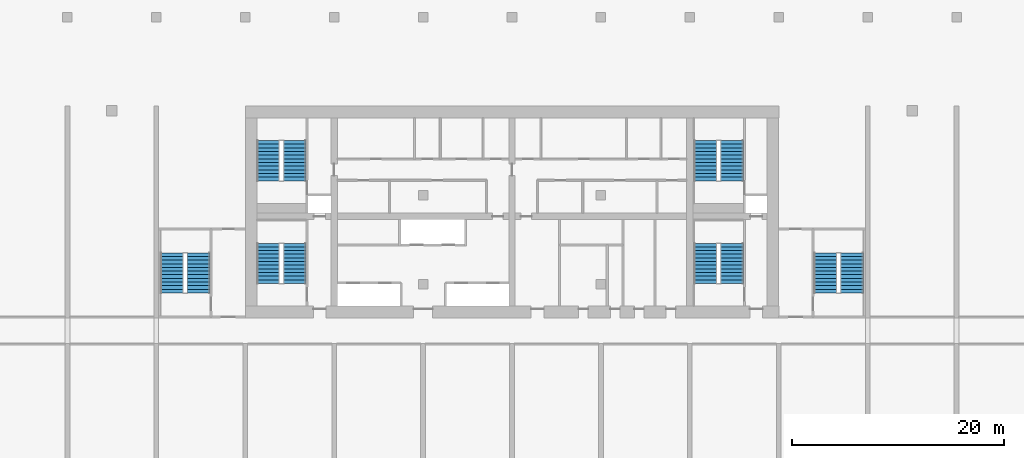
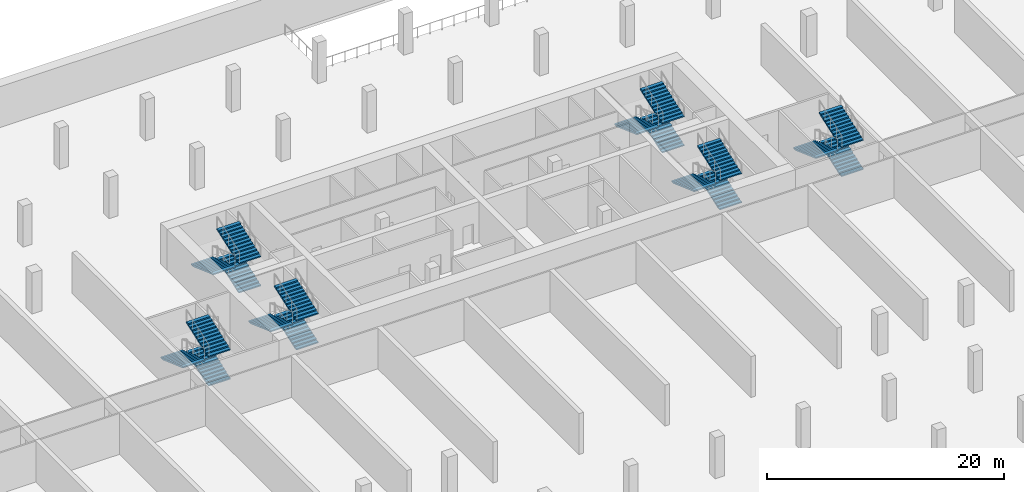
# One storey, part 11 of 12: 18 stair flights, 6 elements without a shape of their own.
"""IFC4 building model written with IfcOpenShell, lengths in metres."""

from ifc_helpers import new_model, si_unit, direction, frame, origin, place, context, subcontext, project, spatial, polyline, outline, extrude, source, transform, mapped, material, type_object, element, aggregate, save


model = new_model("IFC4")

# Units and contexts
model_context = context("Model", 3, precision=1e-05, world=origin(), true_north=direction((0.0, 1.0)))
body_context = subcontext(model_context, "Body", "Model", "MODEL_VIEW")
ifc_project = project(units=[si_unit("LENGTHUNIT", "METRE"), si_unit("AREAUNIT", "SQUARE_METRE"), si_unit("VOLUMEUNIT", "CUBIC_METRE"), si_unit("PLANEANGLEUNIT", "RADIAN"), si_unit("MASSUNIT", "GRAM", prefix="KILO")], contexts=[model_context])

# Site, building, storey
site_placement = place(None, origin())
site = spatial("IfcSite", under=ifc_project, at=site_placement, CompositionType="ELEMENT")
building_placement = place(site_placement, origin())
building = spatial("IfcBuilding", under=site, at=building_placement, Name="Vanashikhar Sky Hotel", CompositionType="ELEMENT")
storey_placement = place(building_placement, frame((0.0, 0.0, -4.5)))
storey = spatial("IfcBuildingStorey", under=building, at=storey_placement, Name="B1", CompositionType="ELEMENT", Elevation=-4.5)

# Stair, stair flights
ifc_material = material(Name="Concrete M40", Category="concrete")
stair_type = type_object("IfcStairType", Name="Exit stair 2150", PredefinedType="DOUBLE_RETURN_STAIR", material=ifc_material)
stair_1_placement = place(storey_placement, origin())
stair_1 = element("IfcStair", 1, at=stair_1_placement, inside=storey, type_object=stair_type, Name="B1 Exit stair 1", PredefinedType="DOUBLE_RETURN_STAIR")
stair_flight_type = type_object("IfcStairFlightType", Name="Stair flight 2150", PredefinedType="STRAIGHT", material=ifc_material)
shared_shape = source(origin(), body_context, "Body", "SweptSolid", [
    extrude(outline(polyline([(0.0, 0.0), (0.0, 0.125), (0.345458984375, 0.125), (0.345458984375, 0.25), (0.69091796875, 0.25), (0.69091796875, 0.375), (1.036376953125, 0.375), (1.036376953125, 0.5), (1.3818359375, 0.5), (1.3818359375, 0.625), (1.727294921875, 0.625), (1.727294921875, 0.75), (2.07275390625, 0.75), (2.07275390625, 0.875), (2.418212890625, 0.875), (2.418212890625, 1.0), (2.763671875, 1.0), (2.763671875, 1.125), (3.109130859375, 1.125), (3.109130859375, 1.25), (3.45458984375, 1.25), (3.45458984375, 1.375), (3.800048828125, 1.375), (3.800048828125, 1.5), (3.800048828125, 1.247314453125), (0.35302734375, 0.0), (0.0, 0.0)])), frame((0.0, 1.074951171875, 0.0), z_axis=(0.0, -1.0, 0.0), x_axis=(1.0, 0.0, 0.0)), (0.0, 0.0, 1.0), 2.14990234375),
])
stair_flight_1_placement = place(storey_placement, frame((29.875, 25.25, 0.0), z_axis=(0.0, 0.0, 1.0), x_axis=(0.0, 1.0, 0.0)))
stair_flight_1 = element("IfcStairFlight", 2, at=stair_flight_1_placement, type_object=stair_flight_type, Name="ST-C1 flight 1", NumberOfRisers=12, NumberOfTreads=11, PredefinedType="STRAIGHT", RiserHeight=0.125, TreadLength=0.345454545, context=body_context, shape_type="MappedRepresentation", body=[
    mapped(shared_shape, transform((0.0, 0.0, 0.0), scale=1.0)),
])
stair_flight_2_placement = place(storey_placement, frame((27.375, 29.050048828125, 1.5), z_axis=(0.0, 0.0, 1.0), x_axis=(0.0, -1.0, 0.0)))
stair_flight_2 = element("IfcStairFlight", 3, at=stair_flight_2_placement, type_object=stair_flight_type, Name="ST-C1 flight 2", NumberOfRisers=12, NumberOfTreads=11, PredefinedType="STRAIGHT", RiserHeight=0.125, TreadLength=0.345454545, context=body_context, shape_type="MappedRepresentation", body=[
    mapped(shared_shape, transform((0.0, 0.0, 0.0), scale=1.0)),
])
stair_flight_3_placement = place(storey_placement, frame((29.875, 25.25, 3.0), z_axis=(0.0, 0.0, 1.0), x_axis=(0.0, 1.0, 0.0)))
stair_flight_3 = element("IfcStairFlight", 4, at=stair_flight_3_placement, type_object=stair_flight_type, Name="ST-C1 flight 3", NumberOfRisers=12, NumberOfTreads=11, PredefinedType="STRAIGHT", RiserHeight=0.125, TreadLength=0.345454545, context=body_context, shape_type="MappedRepresentation", body=[
    mapped(shared_shape, transform((0.0, 0.0, 0.0), scale=1.0)),
])
aggregate(stair_1, [stair_flight_1, stair_flight_2, stair_flight_3])

stair_2_placement = place(storey_placement, origin())
stair_2 = element("IfcStair", 5, at=stair_2_placement, inside=storey, type_object=stair_type, Name="B1 Exit stair 2", PredefinedType="DOUBLE_RETURN_STAIR")
stair_flight_4_placement = place(storey_placement, frame((71.175048828125, 25.25, 0.0), z_axis=(0.0, 0.0, 1.0), x_axis=(0.0, 1.0, 0.0)))
stair_flight_4 = element("IfcStairFlight", 6, at=stair_flight_4_placement, type_object=stair_flight_type, Name="ST-C2 flight 1", NumberOfRisers=12, NumberOfTreads=11, PredefinedType="STRAIGHT", RiserHeight=0.125, TreadLength=0.345454545, context=body_context, shape_type="MappedRepresentation", body=[
    mapped(shared_shape, transform((0.0, 0.0, 0.0), scale=1.0)),
])
stair_flight_5_placement = place(storey_placement, frame((68.675048828125, 29.050048828125, 1.5), z_axis=(0.0, 0.0, 1.0), x_axis=(0.0, -1.0, 0.0)))
stair_flight_5 = element("IfcStairFlight", 7, at=stair_flight_5_placement, type_object=stair_flight_type, Name="ST-C2 flight 2", NumberOfRisers=12, NumberOfTreads=11, PredefinedType="STRAIGHT", RiserHeight=0.125, TreadLength=0.345454545, context=body_context, shape_type="MappedRepresentation", body=[
    mapped(shared_shape, transform((0.0, 0.0, 0.0), scale=1.0)),
])
stair_flight_6_placement = place(storey_placement, frame((71.175048828125, 25.25, 3.0), z_axis=(0.0, 0.0, 1.0), x_axis=(0.0, 1.0, 0.0)))
stair_flight_6 = element("IfcStairFlight", 8, at=stair_flight_6_placement, type_object=stair_flight_type, Name="ST-C2 flight 3", NumberOfRisers=12, NumberOfTreads=11, PredefinedType="STRAIGHT", RiserHeight=0.125, TreadLength=0.345454545, context=body_context, shape_type="MappedRepresentation", body=[
    mapped(shared_shape, transform((0.0, 0.0, 0.0), scale=1.0)),
])
aggregate(stair_2, [stair_flight_4, stair_flight_5, stair_flight_6])

stair_3_placement = place(storey_placement, origin())
stair_3 = element("IfcStair", 9, at=stair_3_placement, inside=storey, type_object=stair_type, Name="B1 Exit stair 3", PredefinedType="DOUBLE_RETURN_STAIR")
stair_flight_7_placement = place(storey_placement, frame((20.77490234375, 24.35009765625, 0.0), z_axis=(0.0, 0.0, 1.0), x_axis=(0.0, 1.0, 0.0)))
stair_flight_7 = element("IfcStairFlight", 10, at=stair_flight_7_placement, type_object=stair_flight_type, Name="ST-W flight 1", NumberOfRisers=12, NumberOfTreads=11, PredefinedType="STRAIGHT", RiserHeight=0.125, TreadLength=0.345454545, context=body_context, shape_type="MappedRepresentation", body=[
    mapped(shared_shape, transform((0.0, 0.0, 0.0), scale=1.0)),
])
stair_flight_8_placement = place(storey_placement, frame((18.27490234375, 28.14990234375, 1.5), z_axis=(0.0, 0.0, 1.0), x_axis=(0.0, -1.0, 0.0)))
stair_flight_8 = element("IfcStairFlight", 11, at=stair_flight_8_placement, type_object=stair_flight_type, Name="ST-W flight 2", NumberOfRisers=12, NumberOfTreads=11, PredefinedType="STRAIGHT", RiserHeight=0.125, TreadLength=0.345454545, context=body_context, shape_type="MappedRepresentation", body=[
    mapped(shared_shape, transform((0.0, 0.0, 0.0), scale=1.0)),
])
stair_flight_9_placement = place(storey_placement, frame((20.77490234375, 24.35009765625, 3.0), z_axis=(0.0, 0.0, 1.0), x_axis=(0.0, 1.0, 0.0)))
stair_flight_9 = element("IfcStairFlight", 12, at=stair_flight_9_placement, type_object=stair_flight_type, Name="ST-W flight 3", NumberOfRisers=12, NumberOfTreads=11, PredefinedType="STRAIGHT", RiserHeight=0.125, TreadLength=0.345454545, context=body_context, shape_type="MappedRepresentation", body=[
    mapped(shared_shape, transform((0.0, 0.0, 0.0), scale=1.0)),
])
aggregate(stair_3, [stair_flight_7, stair_flight_8, stair_flight_9])

stair_4_placement = place(storey_placement, origin())
stair_4 = element("IfcStair", 13, at=stair_4_placement, inside=storey, type_object=stair_type, Name="B1 Exit stair 4", PredefinedType="DOUBLE_RETURN_STAIR")
stair_flight_10_placement = place(storey_placement, frame((82.52490234375, 24.35009765625, 0.0), z_axis=(0.0, 0.0, 1.0), x_axis=(0.0, 1.0, 0.0)))
stair_flight_10 = element("IfcStairFlight", 14, at=stair_flight_10_placement, type_object=stair_flight_type, Name="ST-E flight 1", NumberOfRisers=12, NumberOfTreads=11, PredefinedType="STRAIGHT", RiserHeight=0.125, TreadLength=0.345454545, context=body_context, shape_type="MappedRepresentation", body=[
    mapped(shared_shape, transform((0.0, 0.0, 0.0), scale=1.0)),
])
stair_flight_11_placement = place(storey_placement, frame((80.02490234375, 28.14990234375, 1.5), z_axis=(0.0, 0.0, 1.0), x_axis=(0.0, -1.0, 0.0)))
stair_flight_11 = element("IfcStairFlight", 15, at=stair_flight_11_placement, type_object=stair_flight_type, Name="ST-E flight 2", NumberOfRisers=12, NumberOfTreads=11, PredefinedType="STRAIGHT", RiserHeight=0.125, TreadLength=0.345454545, context=body_context, shape_type="MappedRepresentation", body=[
    mapped(shared_shape, transform((0.0, 0.0, 0.0), scale=1.0)),
])
stair_flight_12_placement = place(storey_placement, frame((82.52490234375, 24.35009765625, 3.0), z_axis=(0.0, 0.0, 1.0), x_axis=(0.0, 1.0, 0.0)))
stair_flight_12 = element("IfcStairFlight", 16, at=stair_flight_12_placement, type_object=stair_flight_type, Name="ST-E flight 3", NumberOfRisers=12, NumberOfTreads=11, PredefinedType="STRAIGHT", RiserHeight=0.125, TreadLength=0.345454545, context=body_context, shape_type="MappedRepresentation", body=[
    mapped(shared_shape, transform((0.0, 0.0, 0.0), scale=1.0)),
])
aggregate(stair_4, [stair_flight_10, stair_flight_11, stair_flight_12])

stair_5_placement = place(storey_placement, origin())
stair_5 = element("IfcStair", 17, at=stair_5_placement, inside=storey, type_object=stair_type, Name="B1 Exit stair 5", PredefinedType="DOUBLE_RETURN_STAIR")
stair_flight_13_placement = place(storey_placement, frame((29.875, 34.949951171875, 0.0), z_axis=(0.0, 0.0, 1.0), x_axis=(0.0, 1.0, 0.0)))
stair_flight_13 = element("IfcStairFlight", 18, at=stair_flight_13_placement, type_object=stair_flight_type, Name="ST-C3 flight 1", NumberOfRisers=12, NumberOfTreads=11, PredefinedType="STRAIGHT", RiserHeight=0.125, TreadLength=0.345454545, context=body_context, shape_type="MappedRepresentation", body=[
    mapped(shared_shape, transform((0.0, 0.0, 0.0), scale=1.0)),
])
stair_flight_14_placement = place(storey_placement, frame((27.375, 38.75, 1.5), z_axis=(0.0, 0.0, 1.0), x_axis=(0.0, -1.0, 0.0)))
stair_flight_14 = element("IfcStairFlight", 19, at=stair_flight_14_placement, type_object=stair_flight_type, Name="ST-C3 flight 2", NumberOfRisers=12, NumberOfTreads=11, PredefinedType="STRAIGHT", RiserHeight=0.125, TreadLength=0.345454545, context=body_context, shape_type="MappedRepresentation", body=[
    mapped(shared_shape, transform((0.0, 0.0, 0.0), scale=1.0)),
])
stair_flight_15_placement = place(storey_placement, frame((29.875, 34.949951171875, 3.0), z_axis=(0.0, 0.0, 1.0), x_axis=(0.0, 1.0, 0.0)))
stair_flight_15 = element("IfcStairFlight", 20, at=stair_flight_15_placement, type_object=stair_flight_type, Name="ST-C3 flight 3", NumberOfRisers=12, NumberOfTreads=11, PredefinedType="STRAIGHT", RiserHeight=0.125, TreadLength=0.345454545, context=body_context, shape_type="MappedRepresentation", body=[
    mapped(shared_shape, transform((0.0, 0.0, 0.0), scale=1.0)),
])
aggregate(stair_5, [stair_flight_13, stair_flight_14, stair_flight_15])

stair_6_placement = place(storey_placement, origin())
stair_6 = element("IfcStair", 21, at=stair_6_placement, inside=storey, type_object=stair_type, Name="B1 Exit stair 6", PredefinedType="DOUBLE_RETURN_STAIR")
stair_flight_16_placement = place(storey_placement, frame((71.175048828125, 34.949951171875, 0.0), z_axis=(0.0, 0.0, 1.0), x_axis=(0.0, 1.0, 0.0)))
stair_flight_16 = element("IfcStairFlight", 22, at=stair_flight_16_placement, type_object=stair_flight_type, Name="ST-C4 flight 1", NumberOfRisers=12, NumberOfTreads=11, PredefinedType="STRAIGHT", RiserHeight=0.125, TreadLength=0.345454545, context=body_context, shape_type="MappedRepresentation", body=[
    mapped(shared_shape, transform((0.0, 0.0, 0.0), scale=1.0)),
])
stair_flight_17_placement = place(storey_placement, frame((68.675048828125, 38.75, 1.5), z_axis=(0.0, 0.0, 1.0), x_axis=(0.0, -1.0, 0.0)))
stair_flight_17 = element("IfcStairFlight", 23, at=stair_flight_17_placement, type_object=stair_flight_type, Name="ST-C4 flight 2", NumberOfRisers=12, NumberOfTreads=11, PredefinedType="STRAIGHT", RiserHeight=0.125, TreadLength=0.345454545, context=body_context, shape_type="MappedRepresentation", body=[
    mapped(shared_shape, transform((0.0, 0.0, 0.0), scale=1.0)),
])
stair_flight_18_placement = place(storey_placement, frame((71.175048828125, 34.949951171875, 3.0), z_axis=(0.0, 0.0, 1.0), x_axis=(0.0, 1.0, 0.0)))
stair_flight_18 = element("IfcStairFlight", 24, at=stair_flight_18_placement, type_object=stair_flight_type, Name="ST-C4 flight 3", NumberOfRisers=12, NumberOfTreads=11, PredefinedType="STRAIGHT", RiserHeight=0.125, TreadLength=0.345454545, context=body_context, shape_type="MappedRepresentation", body=[
    mapped(shared_shape, transform((0.0, 0.0, 0.0), scale=1.0)),
])
aggregate(stair_6, [stair_flight_16, stair_flight_17, stair_flight_18])

save(model, "model.ifc")
